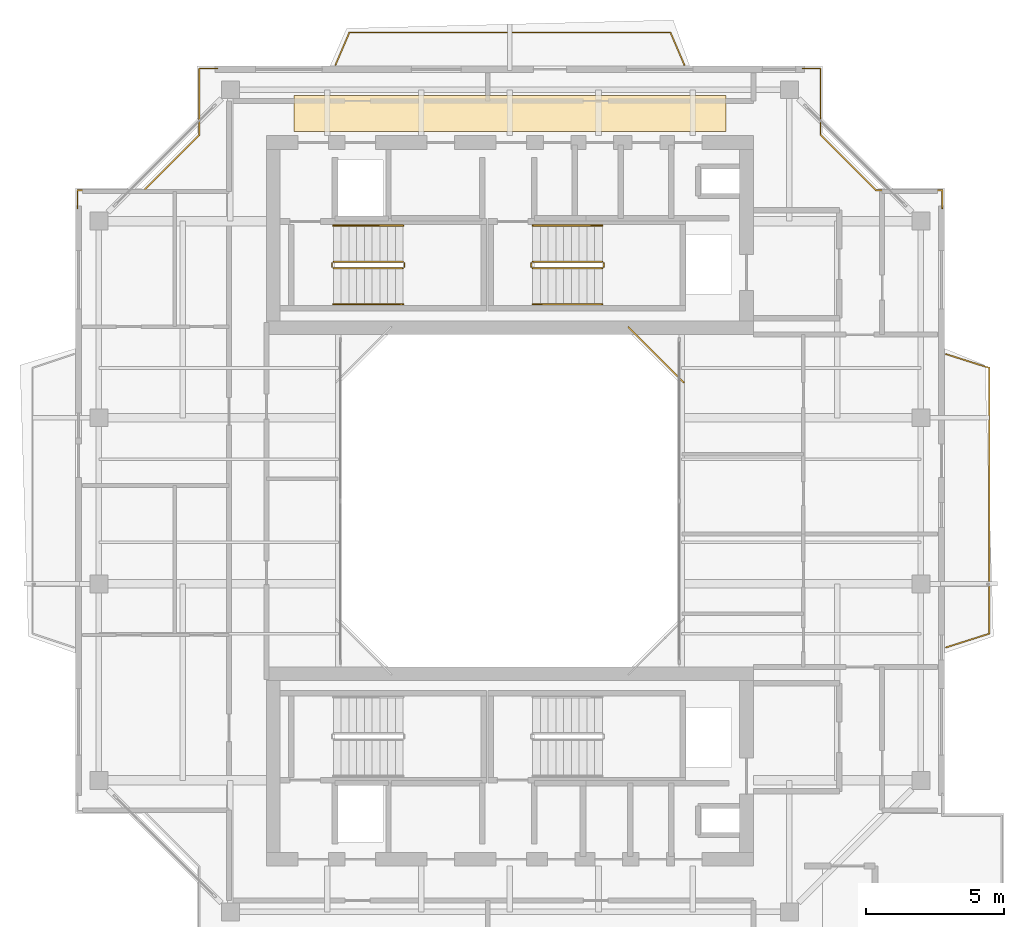
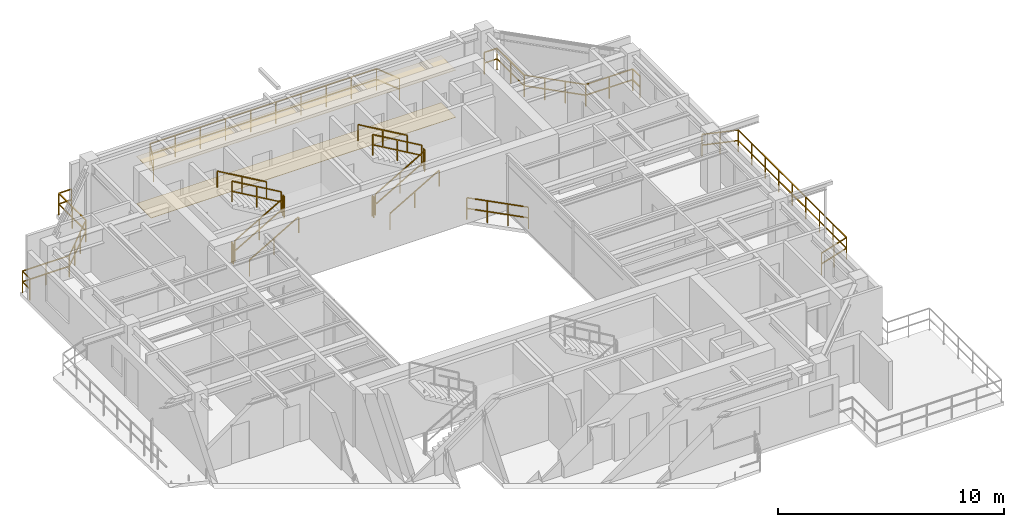
# One storey, part 14 of 14: 17 railings, 2 coverings.
"""IFC4 building model written with IfcOpenShell, lengths in metres."""

from ifc_helpers import new_model, si_unit, direction, frame, origin, origin_2d, place, context, subcontext, project, spatial, polyline, rectangle, outline, extrude, material, layer, layer_set, type_object, element, save


model = new_model("IFC4")

# Units and contexts
model_context = context("Model", 3, precision=1e-05, world=origin(), true_north=direction((0.0, 1.0)))
body_context = subcontext(model_context, "Body", "Model", "MODEL_VIEW")
ifc_project = project(units=[si_unit("LENGTHUNIT", "METRE"), si_unit("AREAUNIT", "SQUARE_METRE"), si_unit("VOLUMEUNIT", "CUBIC_METRE"), si_unit("PLANEANGLEUNIT", "RADIAN"), si_unit("MASSUNIT", "GRAM", prefix="KILO"), si_unit("THERMODYNAMICTEMPERATUREUNIT", "KELVIN"), si_unit("POWERUNIT", "WATT")], contexts=[model_context])

# Site, building, storey
site_placement = place(None, origin())
site = spatial("IfcSite", under=ifc_project, at=site_placement, CompositionType="ELEMENT")
building_placement = place(site_placement, origin())
building = spatial("IfcBuilding", under=site, at=building_placement, Name="Qiaomeng Ring Towers", CompositionType="ELEMENT")
storey_placement = place(building_placement, frame((0.0, 0.0, 253.5)))
storey = spatial("IfcBuildingStorey", under=building, at=storey_placement, Name="L74", CompositionType="ELEMENT", Elevation=253.5)

# Coverings
ifc_material_1 = material(Name="Mineral fibre acoustic ceiling tile", Category="gypsum")
ifc_layer_1 = layer(ifc_material_1, 0.02490234375, Name="Mineral fibre acoustic ceiling tile")
ifc_layer_set_1 = layer_set([ifc_layer_1], Name="Mineral fibre acoustic ceiling tile")
covering_type_1 = type_object("IfcCoveringType", Name="ARC-COV-CEIL1", PredefinedType="CEILING", material=ifc_layer_set_1)
covering_1_placement = place(storey_placement, frame((0.0, 0.0, 2.550048828125)))
element("IfcCovering", 1, at=covering_1_placement, inside=storey, type_object=covering_type_1, Name="L74 Corridor Acoustic Ceiling", PredefinedType="CEILING", context=body_context, shape_type="SweptSolid", body=[
    extrude(outline(polyline([(11.199951171875, 36.35009765625), (11.199951171875, 37.64990234375), (26.800048828125, 37.64990234375), (26.800048828125, 36.35009765625), (11.199951171875, 36.35009765625)])), origin(), (0.0, 0.0, 1.0), 0.02490234375),
])
ifc_material_2 = material(Name="Vitrified porcelain floor tile", Category="ceramic")
ifc_layer_2 = layer(ifc_material_2, 0.02001953125, Name="Vitrified porcelain floor tile")
ifc_layer_set_2 = layer_set([ifc_layer_2], Name="Vitrified porcelain floor tile")
covering_type_2 = type_object("IfcCoveringType", Name="ARC-COV-FLR1", PredefinedType="FLOORING", material=ifc_layer_set_2)
covering_2_placement = place(storey_placement, origin())
element("IfcCovering", 2, at=covering_2_placement, inside=storey, type_object=covering_type_2, Name="L74 Corridor Stone Flooring", PredefinedType="FLOORING", context=body_context, shape_type="SweptSolid", body=[
    extrude(outline(polyline([(11.199951171875, 36.35009765625), (11.199951171875, 37.64990234375), (26.800048828125, 37.64990234375), (26.800048828125, 36.35009765625), (11.199951171875, 36.35009765625)])), origin(), (0.0, 0.0, 1.0), 0.02001953125),
])

# Railings
ifc_material_3 = material(Name="Low-E pale-green laminated safety glass", Category="glass")
railing_type_1 = type_object("IfcRailingType", Name="ARC-RL-BAL1", PredefinedType="BALUSTRADE", material=ifc_material_3)
railing_1_placement = place(storey_placement, frame((25.280029296875, 27.280029296875, 0.0)))
element("IfcRailing", 3, at=railing_1_placement, inside=storey, type_object=railing_type_1, Name="L74 Balustrade ARC-BAL-WELL1-L74-2", PredefinedType="BALUSTRADE", context=body_context, shape_type="SweptSolid", body=[
    extrude(rectangle(XDim=0.048095703125, YDim=0.048095703125, at=origin_2d()), frame((0.0, 0.0, 1.17578125), z_axis=(-0.707106781187, 0.707106781187, 0.0), x_axis=(-0.707106781187, -0.707106781187, 0.0)), (0.0, 0.0, 1.0), 2.828369140625),
    extrude(rectangle(XDim=0.048095703125, YDim=0.048095703125, at=origin_2d()), frame((0.0, 0.0, 0.60009765625), z_axis=(-0.707106781187, 0.707106781187, 0.0), x_axis=(-0.707106781187, -0.707106781187, 0.0)), (0.0, 0.0, 1.0), 2.828369140625),
    extrude(rectangle(XDim=0.0419921875, YDim=0.0419921875, at=origin_2d()), origin(), (0.0, 0.0, 1.0), 1.15185546875),
    extrude(rectangle(XDim=0.0419921875, YDim=0.0419921875, at=origin_2d()), frame((-0.666748046875, 0.666748046875, 0.0)), (0.0, 0.0, 1.0), 1.15185546875),
    extrude(rectangle(XDim=0.0419921875, YDim=0.0419921875, at=origin_2d()), frame((-1.333251953125, 1.333251953125, 0.0)), (0.0, 0.0, 1.0), 1.15185546875),
    extrude(rectangle(XDim=0.0419921875, YDim=0.0419921875, at=origin_2d()), frame((-2.0, 2.0, 0.0)), (0.0, 0.0, 1.0), 1.15185546875),
])
railing_2_placement = place(storey_placement, frame((34.6201171875, 33.570068359375, 0.0)))
element("IfcRailing", 4, at=railing_2_placement, inside=storey, type_object=railing_type_1, Name="L74 Balustrade ARC-BAL-NOTCH1-L74-NE", PredefinedType="BALUSTRADE", context=body_context, shape_type="SweptSolid", body=[
    extrude(rectangle(XDim=0.048095703125, YDim=0.048095703125, at=origin_2d()), frame((0.0, 0.0, 1.17578125), z_axis=(0.0, 1.0, 0.0), x_axis=(-1.0, 0.0, 0.0)), (0.0, 0.0, 1.0), 0.64990234375),
    extrude(rectangle(XDim=0.048095703125, YDim=0.048095703125, at=origin_2d()), frame((0.0, 0.0, 0.60009765625), z_axis=(0.0, 1.0, 0.0), x_axis=(-1.0, 0.0, 0.0)), (0.0, 0.0, 1.0), 0.64990234375),
    extrude(rectangle(XDim=0.048095703125, YDim=0.048095703125, at=origin_2d()), frame((0.0, 0.64990234375, 1.17578125), z_axis=(-1.0, 0.0, 0.0), x_axis=(0.0, -1.0, 0.0)), (0.0, 0.0, 1.0), 2.400146484375),
    extrude(rectangle(XDim=0.048095703125, YDim=0.048095703125, at=origin_2d()), frame((0.0, 0.64990234375, 0.60009765625), z_axis=(-1.0, 0.0, 0.0), x_axis=(0.0, -1.0, 0.0)), (0.0, 0.0, 1.0), 2.400146484375),
    extrude(rectangle(XDim=0.048095703125, YDim=0.048095703125, at=origin_2d()), frame((-2.400146484375, 0.64990234375, 1.17578125), z_axis=(-0.707106781187, 0.707106781187, 0.0), x_axis=(-0.707106781187, -0.707106781187, 0.0)), (0.0, 0.0, 1.0), 2.828369140625),
    extrude(rectangle(XDim=0.048095703125, YDim=0.048095703125, at=origin_2d()), frame((-2.400146484375, 0.64990234375, 0.60009765625), z_axis=(-0.707106781187, 0.707106781187, 0.0), x_axis=(-0.707106781187, -0.707106781187, 0.0)), (0.0, 0.0, 1.0), 2.828369140625),
    extrude(rectangle(XDim=0.048095703125, YDim=0.048095703125, at=origin_2d()), frame((-4.400146484375, 2.64990234375, 1.17578125), z_axis=(0.0, 1.0, 0.0), x_axis=(-1.0, 0.0, 0.0)), (0.0, 0.0, 1.0), 2.400146484375),
    extrude(rectangle(XDim=0.048095703125, YDim=0.048095703125, at=origin_2d()), frame((-4.400146484375, 2.64990234375, 0.60009765625), z_axis=(0.0, 1.0, 0.0), x_axis=(-1.0, 0.0, 0.0)), (0.0, 0.0, 1.0), 2.400146484375),
    extrude(rectangle(XDim=0.048095703125, YDim=0.048095703125, at=origin_2d()), frame((-4.400146484375, 5.050048828125, 1.17578125), z_axis=(-1.0, 0.0, 0.0), x_axis=(0.0, -1.0, 0.0)), (0.0, 0.0, 1.0), 0.64990234375),
    extrude(rectangle(XDim=0.048095703125, YDim=0.048095703125, at=origin_2d()), frame((-4.400146484375, 5.050048828125, 0.60009765625), z_axis=(-1.0, 0.0, 0.0), x_axis=(0.0, -1.0, 0.0)), (0.0, 0.0, 1.0), 0.64990234375),
    extrude(rectangle(XDim=0.0419921875, YDim=0.0419921875, at=origin_2d()), origin(), (0.0, 0.0, 1.0), 1.15185546875),
    extrude(rectangle(XDim=0.0419921875, YDim=0.0419921875, at=origin_2d()), frame((0.0, 0.64990234375, 0.0)), (0.0, 0.0, 1.0), 1.15185546875),
    extrude(rectangle(XDim=0.0419921875, YDim=0.0419921875, at=origin_2d()), frame((-1.2001953125, 0.64990234375, 0.0)), (0.0, 0.0, 1.0), 1.15185546875),
    extrude(rectangle(XDim=0.0419921875, YDim=0.0419921875, at=origin_2d()), frame((-2.400146484375, 0.64990234375, 0.0)), (0.0, 0.0, 1.0), 1.15185546875),
    extrude(rectangle(XDim=0.0419921875, YDim=0.0419921875, at=origin_2d()), frame((-3.06689453125, 1.316650390625, 0.0)), (0.0, 0.0, 1.0), 1.15185546875),
    extrude(rectangle(XDim=0.0419921875, YDim=0.0419921875, at=origin_2d()), frame((-3.7333984375, 1.983154296875, 0.0)), (0.0, 0.0, 1.0), 1.15185546875),
    extrude(rectangle(XDim=0.0419921875, YDim=0.0419921875, at=origin_2d()), frame((-4.400146484375, 2.64990234375, 0.0)), (0.0, 0.0, 1.0), 1.15185546875),
    extrude(rectangle(XDim=0.0419921875, YDim=0.0419921875, at=origin_2d()), frame((-4.400146484375, 3.85009765625, 0.0)), (0.0, 0.0, 1.0), 1.15185546875),
    extrude(rectangle(XDim=0.0419921875, YDim=0.0419921875, at=origin_2d()), frame((-4.400146484375, 5.050048828125, 0.0)), (0.0, 0.0, 1.0), 1.15185546875),
    extrude(rectangle(XDim=0.0419921875, YDim=0.0419921875, at=origin_2d()), frame((-5.050048828125, 5.050048828125, 0.0)), (0.0, 0.0, 1.0), 1.15185546875),
])
railing_3_placement = place(storey_placement, frame((8.429931640625, 38.6201171875, 0.0)))
element("IfcRailing", 5, at=railing_3_placement, inside=storey, type_object=railing_type_1, Name="L74 Balustrade ARC-BAL-NOTCH1-L74-NW", PredefinedType="BALUSTRADE", context=body_context, shape_type="SweptSolid", body=[
    extrude(rectangle(XDim=0.048095703125, YDim=0.048095703125, at=origin_2d()), frame((0.0, 0.0, 1.17578125), z_axis=(-1.0, 0.0, 0.0), x_axis=(0.0, -1.0, 0.0)), (0.0, 0.0, 1.0), 0.64990234375),
    extrude(rectangle(XDim=0.048095703125, YDim=0.048095703125, at=origin_2d()), frame((0.0, 0.0, 0.60009765625), z_axis=(-1.0, 0.0, 0.0), x_axis=(0.0, -1.0, 0.0)), (0.0, 0.0, 1.0), 0.64990234375),
    extrude(rectangle(XDim=0.048095703125, YDim=0.048095703125, at=origin_2d()), frame((-0.64990234375, 0.0, 1.17578125), z_axis=(0.0, -1.0, 0.0), x_axis=(1.0, 0.0, 0.0)), (0.0, 0.0, 1.0), 2.400146484375),
    extrude(rectangle(XDim=0.048095703125, YDim=0.048095703125, at=origin_2d()), frame((-0.64990234375, 0.0, 0.60009765625), z_axis=(0.0, -1.0, 0.0), x_axis=(1.0, 0.0, 0.0)), (0.0, 0.0, 1.0), 2.400146484375),
    extrude(rectangle(XDim=0.048095703125, YDim=0.048095703125, at=origin_2d()), frame((-0.64990234375, -2.400146484375, 1.17578125), z_axis=(-0.707106781187, -0.707106781187, 0.0), x_axis=(0.707106781187, -0.707106781187, 0.0)), (0.0, 0.0, 1.0), 2.828369140625),
    extrude(rectangle(XDim=0.048095703125, YDim=0.048095703125, at=origin_2d()), frame((-0.64990234375, -2.400146484375, 0.60009765625), z_axis=(-0.707106781187, -0.707106781187, 0.0), x_axis=(0.707106781187, -0.707106781187, 0.0)), (0.0, 0.0, 1.0), 2.828369140625),
    extrude(rectangle(XDim=0.048095703125, YDim=0.048095703125, at=origin_2d()), frame((-2.64990234375, -4.400146484375, 1.17578125), z_axis=(-1.0, 0.0, 0.0), x_axis=(0.0, -1.0, 0.0)), (0.0, 0.0, 1.0), 2.400146484375),
    extrude(rectangle(XDim=0.048095703125, YDim=0.048095703125, at=origin_2d()), frame((-2.64990234375, -4.400146484375, 0.60009765625), z_axis=(-1.0, 0.0, 0.0), x_axis=(0.0, -1.0, 0.0)), (0.0, 0.0, 1.0), 2.400146484375),
    extrude(rectangle(XDim=0.048095703125, YDim=0.048095703125, at=origin_2d()), frame((-5.050048828125, -4.400146484375, 1.17578125), z_axis=(0.0, -1.0, 0.0), x_axis=(1.0, 0.0, 0.0)), (0.0, 0.0, 1.0), 0.64990234375),
    extrude(rectangle(XDim=0.048095703125, YDim=0.048095703125, at=origin_2d()), frame((-5.050048828125, -4.400146484375, 0.60009765625), z_axis=(0.0, -1.0, 0.0), x_axis=(1.0, 0.0, 0.0)), (0.0, 0.0, 1.0), 0.64990234375),
    extrude(rectangle(XDim=0.0419921875, YDim=0.0419921875, at=origin_2d()), origin(), (0.0, 0.0, 1.0), 1.15185546875),
    extrude(rectangle(XDim=0.0419921875, YDim=0.0419921875, at=origin_2d()), frame((-0.64990234375, 0.0, 0.0)), (0.0, 0.0, 1.0), 1.15185546875),
    extrude(rectangle(XDim=0.0419921875, YDim=0.0419921875, at=origin_2d()), frame((-0.64990234375, -1.2001953125, 0.0)), (0.0, 0.0, 1.0), 1.15185546875),
    extrude(rectangle(XDim=0.0419921875, YDim=0.0419921875, at=origin_2d()), frame((-0.64990234375, -2.400146484375, 0.0)), (0.0, 0.0, 1.0), 1.15185546875),
    extrude(rectangle(XDim=0.0419921875, YDim=0.0419921875, at=origin_2d()), frame((-1.316650390625, -3.06689453125, 0.0)), (0.0, 0.0, 1.0), 1.15185546875),
    extrude(rectangle(XDim=0.0419921875, YDim=0.0419921875, at=origin_2d()), frame((-1.983154296875, -3.7333984375, 0.0)), (0.0, 0.0, 1.0), 1.15185546875),
    extrude(rectangle(XDim=0.0419921875, YDim=0.0419921875, at=origin_2d()), frame((-2.64990234375, -4.400146484375, 0.0)), (0.0, 0.0, 1.0), 1.15185546875),
    extrude(rectangle(XDim=0.0419921875, YDim=0.0419921875, at=origin_2d()), frame((-3.85009765625, -4.400146484375, 0.0)), (0.0, 0.0, 1.0), 1.15185546875),
    extrude(rectangle(XDim=0.0419921875, YDim=0.0419921875, at=origin_2d()), frame((-5.050048828125, -4.400146484375, 0.0)), (0.0, 0.0, 1.0), 1.15185546875),
    extrude(rectangle(XDim=0.0419921875, YDim=0.0419921875, at=origin_2d()), frame((-5.050048828125, -5.050048828125, 0.0)), (0.0, 0.0, 1.0), 1.15185546875),
])
railing_4_placement = place(storey_placement, frame((34.75, 17.699951171875, 0.0)))
element("IfcRailing", 6, at=railing_4_placement, inside=storey, type_object=railing_type_1, Name="L74 Balustrade ARC-BAL-L74-T1-E", PredefinedType="BALUSTRADE", context=body_context, shape_type="SweptSolid", body=[
    extrude(rectangle(XDim=0.048095703125, YDim=0.048095703125, at=origin_2d()), frame((0.0, 0.0, 1.17578125), z_axis=(0.952849860715, 0.303442157479, 0.0), x_axis=(-0.303442157479, 0.952849860715, 0.0)), (0.0, 0.0, 1.0), 1.647705078125),
    extrude(rectangle(XDim=0.048095703125, YDim=0.048095703125, at=origin_2d()), frame((0.0, 0.0, 0.60009765625), z_axis=(0.952849860715, 0.303442157479, 0.0), x_axis=(-0.303442157479, 0.952849860715, 0.0)), (0.0, 0.0, 1.0), 1.647705078125),
    extrude(rectangle(XDim=0.048095703125, YDim=0.048095703125, at=origin_2d()), frame((1.570068359375, 0.5, 1.17578125), z_axis=(0.0, 1.0, 0.0), x_axis=(-1.0, 0.0, 0.0)), (0.0, 0.0, 1.0), 9.60009765625),
    extrude(rectangle(XDim=0.048095703125, YDim=0.048095703125, at=origin_2d()), frame((1.570068359375, 0.5, 0.60009765625), z_axis=(0.0, 1.0, 0.0), x_axis=(-1.0, 0.0, 0.0)), (0.0, 0.0, 1.0), 9.60009765625),
    extrude(rectangle(XDim=0.048095703125, YDim=0.048095703125, at=origin_2d()), frame((1.570068359375, 10.10009765625, 1.17578125), z_axis=(-0.952849860715, 0.303442157479, 0.0), x_axis=(-0.303442157479, -0.952849860715, 0.0)), (0.0, 0.0, 1.0), 1.647705078125),
    extrude(rectangle(XDim=0.048095703125, YDim=0.048095703125, at=origin_2d()), frame((1.570068359375, 10.10009765625, 0.60009765625), z_axis=(-0.952849860715, 0.303442157479, 0.0), x_axis=(-0.303442157479, -0.952849860715, 0.0)), (0.0, 0.0, 1.0), 1.647705078125),
    extrude(rectangle(XDim=0.0419921875, YDim=0.0419921875, at=origin_2d()), origin(), (0.0, 0.0, 1.0), 1.15185546875),
    extrude(rectangle(XDim=0.0419921875, YDim=0.0419921875, at=origin_2d()), frame((0.78515625, 0.25, 0.0)), (0.0, 0.0, 1.0), 1.15185546875),
    extrude(rectangle(XDim=0.0419921875, YDim=0.0419921875, at=origin_2d()), frame((1.570068359375, 0.5, 0.0)), (0.0, 0.0, 1.0), 1.15185546875),
    extrude(rectangle(XDim=0.0419921875, YDim=0.0419921875, at=origin_2d()), frame((1.570068359375, 1.699951171875, 0.0)), (0.0, 0.0, 1.0), 1.15185546875),
    extrude(rectangle(XDim=0.0419921875, YDim=0.0419921875, at=origin_2d()), frame((1.570068359375, 2.89990234375, 0.0)), (0.0, 0.0, 1.0), 1.15185546875),
    extrude(rectangle(XDim=0.0419921875, YDim=0.0419921875, at=origin_2d()), frame((1.570068359375, 4.10009765625, 0.0)), (0.0, 0.0, 1.0), 1.15185546875),
    extrude(rectangle(XDim=0.0419921875, YDim=0.0419921875, at=origin_2d()), frame((1.570068359375, 5.300048828125, 0.0)), (0.0, 0.0, 1.0), 1.15185546875),
    extrude(rectangle(XDim=0.0419921875, YDim=0.0419921875, at=origin_2d()), frame((1.570068359375, 6.5, 0.0)), (0.0, 0.0, 1.0), 1.15185546875),
    extrude(rectangle(XDim=0.0419921875, YDim=0.0419921875, at=origin_2d()), frame((1.570068359375, 7.7001953125, 0.0)), (0.0, 0.0, 1.0), 1.15185546875),
    extrude(rectangle(XDim=0.0419921875, YDim=0.0419921875, at=origin_2d()), frame((1.570068359375, 8.900146484375, 0.0)), (0.0, 0.0, 1.0), 1.15185546875),
    extrude(rectangle(XDim=0.0419921875, YDim=0.0419921875, at=origin_2d()), frame((1.570068359375, 10.10009765625, 0.0)), (0.0, 0.0, 1.0), 1.15185546875),
    extrude(rectangle(XDim=0.0419921875, YDim=0.0419921875, at=origin_2d()), frame((0.78515625, 10.35009765625, 0.0)), (0.0, 0.0, 1.0), 1.15185546875),
    extrude(rectangle(XDim=0.0419921875, YDim=0.0419921875, at=origin_2d()), frame((0.0, 10.60009765625, 0.0)), (0.0, 0.0, 1.0), 1.15185546875),
])
railing_5_placement = place(storey_placement, frame((12.699951171875, 38.75, 0.0)))
element("IfcRailing", 7, at=railing_5_placement, inside=storey, type_object=railing_type_1, Name="L74 Balustrade ARC-BAL-L74-T1-N", PredefinedType="BALUSTRADE", context=body_context, shape_type="SweptSolid", body=[
    extrude(rectangle(XDim=0.048095703125, YDim=0.048095703125, at=origin_2d()), frame((0.0, 0.0, 1.17578125), z_axis=(0.39299272826, 0.919541579014, 0.0), x_axis=(-0.919541579014, 0.39299272826, 0.0)), (0.0, 0.0, 1.0), 1.272216796875),
    extrude(rectangle(XDim=0.048095703125, YDim=0.048095703125, at=origin_2d()), frame((0.0, 0.0, 0.60009765625), z_axis=(0.39299272826, 0.919541579014, 0.0), x_axis=(-0.919541579014, 0.39299272826, 0.0)), (0.0, 0.0, 1.0), 1.272216796875),
    extrude(rectangle(XDim=0.048095703125, YDim=0.048095703125, at=origin_2d()), frame((0.5, 1.169921875, 1.17578125), z_axis=(1.0, 0.0, 0.0), x_axis=(0.0, 1.0, 0.0)), (0.0, 0.0, 1.0), 11.60009765625),
    extrude(rectangle(XDim=0.048095703125, YDim=0.048095703125, at=origin_2d()), frame((0.5, 1.169921875, 0.60009765625), z_axis=(1.0, 0.0, 0.0), x_axis=(0.0, 1.0, 0.0)), (0.0, 0.0, 1.0), 11.60009765625),
    extrude(rectangle(XDim=0.048095703125, YDim=0.048095703125, at=origin_2d()), frame((12.10009765625, 1.169921875, 1.17578125), z_axis=(0.39299272826, -0.919541579014, 0.0), x_axis=(0.919541579014, 0.39299272826, 0.0)), (0.0, 0.0, 1.0), 1.272216796875),
    extrude(rectangle(XDim=0.048095703125, YDim=0.048095703125, at=origin_2d()), frame((12.10009765625, 1.169921875, 0.60009765625), z_axis=(0.39299272826, -0.919541579014, 0.0), x_axis=(0.919541579014, 0.39299272826, 0.0)), (0.0, 0.0, 1.0), 1.272216796875),
    extrude(rectangle(XDim=0.0419921875, YDim=0.0419921875, at=origin_2d()), origin(), (0.0, 0.0, 1.0), 1.15185546875),
    extrude(rectangle(XDim=0.0419921875, YDim=0.0419921875, at=origin_2d()), frame((0.5, 1.169921875, 0.0)), (0.0, 0.0, 1.0), 1.15185546875),
    extrude(rectangle(XDim=0.0419921875, YDim=0.0419921875, at=origin_2d()), frame((1.788818359375, 1.169921875, 0.0)), (0.0, 0.0, 1.0), 1.15185546875),
    extrude(rectangle(XDim=0.0419921875, YDim=0.0419921875, at=origin_2d()), frame((3.077880859375, 1.169921875, 0.0)), (0.0, 0.0, 1.0), 1.15185546875),
    extrude(rectangle(XDim=0.0419921875, YDim=0.0419921875, at=origin_2d()), frame((4.36669921875, 1.169921875, 0.0)), (0.0, 0.0, 1.0), 1.15185546875),
    extrude(rectangle(XDim=0.0419921875, YDim=0.0419921875, at=origin_2d()), frame((5.655517578125, 1.169921875, 0.0)), (0.0, 0.0, 1.0), 1.15185546875),
    extrude(rectangle(XDim=0.0419921875, YDim=0.0419921875, at=origin_2d()), frame((6.944580078125, 1.169921875, 0.0)), (0.0, 0.0, 1.0), 1.15185546875),
    extrude(rectangle(XDim=0.0419921875, YDim=0.0419921875, at=origin_2d()), frame((8.2333984375, 1.169921875, 0.0)), (0.0, 0.0, 1.0), 1.15185546875),
    extrude(rectangle(XDim=0.0419921875, YDim=0.0419921875, at=origin_2d()), frame((9.522216796875, 1.169921875, 0.0)), (0.0, 0.0, 1.0), 1.15185546875),
    extrude(rectangle(XDim=0.0419921875, YDim=0.0419921875, at=origin_2d()), frame((10.811279296875, 1.169921875, 0.0)), (0.0, 0.0, 1.0), 1.15185546875),
    extrude(rectangle(XDim=0.0419921875, YDim=0.0419921875, at=origin_2d()), frame((12.10009765625, 1.169921875, 0.0)), (0.0, 0.0, 1.0), 1.15185546875),
    extrude(rectangle(XDim=0.0419921875, YDim=0.0419921875, at=origin_2d()), frame((12.60009765625, 0.0, 0.0)), (0.0, 0.0, 1.0), 1.15185546875),
])
ifc_material_4 = material(Name="Galvanised steel", Category="steel")
railing_type_2 = type_object("IfcRailingType", Name="ARC-RL-GUARD", PredefinedType="GUARDRAIL", material=ifc_material_4)
railing_6_placement = place(storey_placement, frame((12.6201171875, 31.39990234375, 0.16259765625)))
element("IfcRailing", 8, at=railing_6_placement, inside=storey, type_object=railing_type_2, Name="L74 ST1 stair guard 1", PredefinedType="GUARDRAIL", context=body_context, shape_type="SweptSolid", body=[
    extrude(rectangle(XDim=0.048095703125, YDim=0.048095703125, at=origin_2d()), frame((0.0, 0.0, 1.1259765625), z_axis=(0.864892226395, 0.0, 0.501957604506), x_axis=(0.0, 1.0, 0.0)), (0.0, 0.0, 1.0), 2.913330078125),
    extrude(rectangle(XDim=0.048095703125, YDim=0.048095703125, at=origin_2d()), frame((0.0, 0.0, 0.574951171875), z_axis=(0.864892226395, 0.0, 0.501957604506), x_axis=(0.0, 1.0, 0.0)), (0.0, 0.0, 1.0), 2.913330078125),
    extrude(rectangle(XDim=0.0419921875, YDim=0.0419921875, at=origin_2d()), origin(), (0.0, 0.0, 1.0), 1.101806640625),
    extrude(rectangle(XDim=0.0419921875, YDim=0.0419921875, at=origin_2d()), frame((1.259765625, 0.0, 0.731201171875)), (0.0, 0.0, 1.0), 1.101806640625),
    extrude(rectangle(XDim=0.0419921875, YDim=0.0419921875, at=origin_2d()), frame((2.519775390625, 0.0, 1.46240234375)), (0.0, 0.0, 1.0), 1.101806640625),
])
railing_7_placement = place(storey_placement, frame((15.18994140625, 31.449951171875, 1.625)))
element("IfcRailing", 9, at=railing_7_placement, inside=storey, type_object=railing_type_2, Name="L74 ST1 stair guard 2", PredefinedType="GUARDRAIL", context=body_context, shape_type="SweptSolid", body=[
    extrude(rectangle(XDim=0.048095703125, YDim=0.048095703125, at=origin_2d()), frame((0.0, 0.0, 1.1259765625), z_axis=(0.0, 1.0, 0.0), x_axis=(-1.0, 0.0, 0.0)), (0.0, 0.0, 1.0), 0.14013671875),
    extrude(rectangle(XDim=0.048095703125, YDim=0.048095703125, at=origin_2d()), frame((0.0, 0.0, 0.574951171875), z_axis=(0.0, 1.0, 0.0), x_axis=(-1.0, 0.0, 0.0)), (0.0, 0.0, 1.0), 0.14013671875),
    extrude(rectangle(XDim=0.0419921875, YDim=0.0419921875, at=origin_2d()), origin(), (0.0, 0.0, 1.0), 1.101806640625),
    extrude(rectangle(XDim=0.0419921875, YDim=0.0419921875, at=origin_2d()), frame((0.0, 0.14013671875, 0.0)), (0.0, 0.0, 1.0), 1.101806640625),
])
railing_8_placement = place(storey_placement, frame((15.139892578125, 31.639892578125, 1.78759765625)))
element("IfcRailing", 10, at=railing_8_placement, inside=storey, type_object=railing_type_2, Name="L74 ST1 stair guard 3", PredefinedType="GUARDRAIL", context=body_context, shape_type="SweptSolid", body=[
    extrude(rectangle(XDim=0.048095703125, YDim=0.048095703125, at=origin_2d()), frame((0.0, 0.0, 1.1259765625), z_axis=(-0.864892226395, 0.0, 0.501957604506), x_axis=(0.0, -1.0, 0.0)), (0.0, 0.0, 1.0), 2.913330078125),
    extrude(rectangle(XDim=0.048095703125, YDim=0.048095703125, at=origin_2d()), frame((0.0, 0.0, 0.574951171875), z_axis=(-0.864892226395, 0.0, 0.501957604506), x_axis=(0.0, -1.0, 0.0)), (0.0, 0.0, 1.0), 2.913330078125),
    extrude(rectangle(XDim=0.0419921875, YDim=0.0419921875, at=origin_2d()), origin(), (0.0, 0.0, 1.0), 1.101806640625),
    extrude(rectangle(XDim=0.0419921875, YDim=0.0419921875, at=origin_2d()), frame((-1.259765625, 0.0, 0.731201171875)), (0.0, 0.0, 1.0), 1.101806640625),
    extrude(rectangle(XDim=0.0419921875, YDim=0.0419921875, at=origin_2d()), frame((-2.519775390625, 0.0, 1.46240234375)), (0.0, 0.0, 1.0), 1.101806640625),
])
railing_9_placement = place(storey_placement, frame((12.570068359375, 31.449951171875, 0.0)))
element("IfcRailing", 11, at=railing_9_placement, inside=storey, type_object=railing_type_2, Name="L74 ST1 stair guard 4", PredefinedType="GUARDRAIL", context=body_context, shape_type="SweptSolid", body=[
    extrude(rectangle(XDim=0.048095703125, YDim=0.048095703125, at=origin_2d()), frame((0.0, 0.0, 1.1259765625), z_axis=(0.0, 1.0, 0.0), x_axis=(-1.0, 0.0, 0.0)), (0.0, 0.0, 1.0), 0.14013671875),
    extrude(rectangle(XDim=0.048095703125, YDim=0.048095703125, at=origin_2d()), frame((0.0, 0.0, 0.574951171875), z_axis=(0.0, 1.0, 0.0), x_axis=(-1.0, 0.0, 0.0)), (0.0, 0.0, 1.0), 0.14013671875),
    extrude(rectangle(XDim=0.0419921875, YDim=0.0419921875, at=origin_2d()), origin(), (0.0, 0.0, 1.0), 1.101806640625),
    extrude(rectangle(XDim=0.0419921875, YDim=0.0419921875, at=origin_2d()), frame((0.0, 0.14013671875, 0.0)), (0.0, 0.0, 1.0), 1.101806640625),
])
railing_10_placement = place(storey_placement, frame((19.820068359375, 31.39990234375, 0.16259765625)))
element("IfcRailing", 12, at=railing_10_placement, inside=storey, type_object=railing_type_2, Name="L74 ST2 stair guard 1", PredefinedType="GUARDRAIL", context=body_context, shape_type="SweptSolid", body=[
    extrude(rectangle(XDim=0.048095703125, YDim=0.048095703125, at=origin_2d()), frame((0.0, 0.0, 1.1259765625), z_axis=(0.864913338283, 0.0, 0.50192122615), x_axis=(0.0, 1.0, 0.0)), (0.0, 0.0, 1.0), 2.91357421875),
    extrude(rectangle(XDim=0.048095703125, YDim=0.048095703125, at=origin_2d()), frame((0.0, 0.0, 0.574951171875), z_axis=(0.864913338283, 0.0, 0.50192122615), x_axis=(0.0, 1.0, 0.0)), (0.0, 0.0, 1.0), 2.91357421875),
    extrude(rectangle(XDim=0.0419921875, YDim=0.0419921875, at=origin_2d()), origin(), (0.0, 0.0, 1.0), 1.101806640625),
    extrude(rectangle(XDim=0.0419921875, YDim=0.0419921875, at=origin_2d()), frame((1.260009765625, 0.0, 0.731201171875)), (0.0, 0.0, 1.0), 1.101806640625),
    extrude(rectangle(XDim=0.0419921875, YDim=0.0419921875, at=origin_2d()), frame((2.52001953125, 0.0, 1.46240234375)), (0.0, 0.0, 1.0), 1.101806640625),
])
railing_11_placement = place(storey_placement, frame((22.389892578125, 31.449951171875, 1.625)))
element("IfcRailing", 13, at=railing_11_placement, inside=storey, type_object=railing_type_2, Name="L74 ST2 stair guard 2", PredefinedType="GUARDRAIL", context=body_context, shape_type="SweptSolid", body=[
    extrude(rectangle(XDim=0.048095703125, YDim=0.048095703125, at=origin_2d()), frame((0.0, 0.0, 1.1259765625), z_axis=(0.0, 1.0, 0.0), x_axis=(-1.0, 0.0, 0.0)), (0.0, 0.0, 1.0), 0.14013671875),
    extrude(rectangle(XDim=0.048095703125, YDim=0.048095703125, at=origin_2d()), frame((0.0, 0.0, 0.574951171875), z_axis=(0.0, 1.0, 0.0), x_axis=(-1.0, 0.0, 0.0)), (0.0, 0.0, 1.0), 0.14013671875),
    extrude(rectangle(XDim=0.0419921875, YDim=0.0419921875, at=origin_2d()), origin(), (0.0, 0.0, 1.0), 1.101806640625),
    extrude(rectangle(XDim=0.0419921875, YDim=0.0419921875, at=origin_2d()), frame((0.0, 0.14013671875, 0.0)), (0.0, 0.0, 1.0), 1.101806640625),
])
railing_12_placement = place(storey_placement, frame((22.340087890625, 31.639892578125, 1.78759765625)))
element("IfcRailing", 14, at=railing_12_placement, inside=storey, type_object=railing_type_2, Name="L74 ST2 stair guard 3", PredefinedType="GUARDRAIL", context=body_context, shape_type="SweptSolid", body=[
    extrude(rectangle(XDim=0.048095703125, YDim=0.048095703125, at=origin_2d()), frame((0.0, 0.0, 1.1259765625), z_axis=(-0.864913338283, 0.0, 0.50192122615), x_axis=(0.0, -1.0, 0.0)), (0.0, 0.0, 1.0), 2.91357421875),
    extrude(rectangle(XDim=0.048095703125, YDim=0.048095703125, at=origin_2d()), frame((0.0, 0.0, 0.574951171875), z_axis=(-0.864913338283, 0.0, 0.50192122615), x_axis=(0.0, -1.0, 0.0)), (0.0, 0.0, 1.0), 2.91357421875),
    extrude(rectangle(XDim=0.0419921875, YDim=0.0419921875, at=origin_2d()), origin(), (0.0, 0.0, 1.0), 1.101806640625),
    extrude(rectangle(XDim=0.0419921875, YDim=0.0419921875, at=origin_2d()), frame((-1.260009765625, 0.0, 0.731201171875)), (0.0, 0.0, 1.0), 1.101806640625),
    extrude(rectangle(XDim=0.0419921875, YDim=0.0419921875, at=origin_2d()), frame((-2.52001953125, 0.0, 1.46240234375)), (0.0, 0.0, 1.0), 1.101806640625),
])
railing_13_placement = place(storey_placement, frame((19.77001953125, 31.449951171875, 0.0)))
element("IfcRailing", 15, at=railing_13_placement, inside=storey, type_object=railing_type_2, Name="L74 ST2 stair guard 4", PredefinedType="GUARDRAIL", context=body_context, shape_type="SweptSolid", body=[
    extrude(rectangle(XDim=0.048095703125, YDim=0.048095703125, at=origin_2d()), frame((0.0, 0.0, 1.1259765625), z_axis=(0.0, 1.0, 0.0), x_axis=(-1.0, 0.0, 0.0)), (0.0, 0.0, 1.0), 0.14013671875),
    extrude(rectangle(XDim=0.048095703125, YDim=0.048095703125, at=origin_2d()), frame((0.0, 0.0, 0.574951171875), z_axis=(0.0, 1.0, 0.0), x_axis=(-1.0, 0.0, 0.0)), (0.0, 0.0, 1.0), 0.14013671875),
    extrude(rectangle(XDim=0.0419921875, YDim=0.0419921875, at=origin_2d()), origin(), (0.0, 0.0, 1.0), 1.101806640625),
    extrude(rectangle(XDim=0.0419921875, YDim=0.0419921875, at=origin_2d()), frame((0.0, 0.14013671875, 0.0)), (0.0, 0.0, 1.0), 1.101806640625),
])
ifc_material_5 = material(Name="Stainless steel 316", Category="steel")
railing_type_3 = type_object("IfcRailingType", Name="ARC-RL-HAND", PredefinedType="HANDRAIL", material=ifc_material_5)
railing_14_placement = place(storey_placement, frame((12.6201171875, 30.10009765625, 0.16259765625)))
element("IfcRailing", 16, at=railing_14_placement, inside=storey, type_object=railing_type_3, Name="L74 ST1 stair handrail 1", PredefinedType="HANDRAIL", context=body_context, shape_type="SweptSolid", body=[
    extrude(rectangle(XDim=0.048095703125, YDim=0.048095703125, at=origin_2d()), frame((0.0, 0.0, 0.8759765625), z_axis=(0.864892226395, 0.0, 0.501957604506), x_axis=(0.0, 1.0, 0.0)), (0.0, 0.0, 1.0), 2.913330078125),
    extrude(rectangle(XDim=0.0419921875, YDim=0.0419921875, at=origin_2d()), origin(), (0.0, 0.0, 1.0), 0.851806640625),
    extrude(rectangle(XDim=0.0419921875, YDim=0.0419921875, at=origin_2d()), frame((1.259765625, 0.0, 0.731201171875)), (0.0, 0.0, 1.0), 0.851806640625),
    extrude(rectangle(XDim=0.0419921875, YDim=0.0419921875, at=origin_2d()), frame((2.519775390625, 0.0, 1.46240234375)), (0.0, 0.0, 1.0), 0.851806640625),
])
railing_15_placement = place(storey_placement, frame((15.139892578125, 32.93994140625, 1.78759765625)))
element("IfcRailing", 17, at=railing_15_placement, inside=storey, type_object=railing_type_3, Name="L74 ST1 stair handrail 2", PredefinedType="HANDRAIL", context=body_context, shape_type="SweptSolid", body=[
    extrude(rectangle(XDim=0.048095703125, YDim=0.048095703125, at=origin_2d()), frame((0.0, 0.0, 0.8759765625), z_axis=(-0.864892226395, 0.0, 0.501957604506), x_axis=(0.0, -1.0, 0.0)), (0.0, 0.0, 1.0), 2.913330078125),
    extrude(rectangle(XDim=0.0419921875, YDim=0.0419921875, at=origin_2d()), origin(), (0.0, 0.0, 1.0), 0.851806640625),
    extrude(rectangle(XDim=0.0419921875, YDim=0.0419921875, at=origin_2d()), frame((-1.259765625, 0.0, 0.731201171875)), (0.0, 0.0, 1.0), 0.851806640625),
    extrude(rectangle(XDim=0.0419921875, YDim=0.0419921875, at=origin_2d()), frame((-2.519775390625, 0.0, 1.46240234375)), (0.0, 0.0, 1.0), 0.851806640625),
])
railing_16_placement = place(storey_placement, frame((19.820068359375, 30.10009765625, 0.16259765625)))
element("IfcRailing", 18, at=railing_16_placement, inside=storey, type_object=railing_type_3, Name="L74 ST2 stair handrail 1", PredefinedType="HANDRAIL", context=body_context, shape_type="SweptSolid", body=[
    extrude(rectangle(XDim=0.048095703125, YDim=0.048095703125, at=origin_2d()), frame((0.0, 0.0, 0.8759765625), z_axis=(0.864913338283, 0.0, 0.50192122615), x_axis=(0.0, 1.0, 0.0)), (0.0, 0.0, 1.0), 2.91357421875),
    extrude(rectangle(XDim=0.0419921875, YDim=0.0419921875, at=origin_2d()), origin(), (0.0, 0.0, 1.0), 0.851806640625),
    extrude(rectangle(XDim=0.0419921875, YDim=0.0419921875, at=origin_2d()), frame((1.260009765625, 0.0, 0.731201171875)), (0.0, 0.0, 1.0), 0.851806640625),
    extrude(rectangle(XDim=0.0419921875, YDim=0.0419921875, at=origin_2d()), frame((2.52001953125, 0.0, 1.46240234375)), (0.0, 0.0, 1.0), 0.851806640625),
])
railing_17_placement = place(storey_placement, frame((22.340087890625, 32.93994140625, 1.78759765625)))
element("IfcRailing", 19, at=railing_17_placement, inside=storey, type_object=railing_type_3, Name="L74 ST2 stair handrail 2", PredefinedType="HANDRAIL", context=body_context, shape_type="SweptSolid", body=[
    extrude(rectangle(XDim=0.048095703125, YDim=0.048095703125, at=origin_2d()), frame((0.0, 0.0, 0.8759765625), z_axis=(-0.864913338283, 0.0, 0.50192122615), x_axis=(0.0, -1.0, 0.0)), (0.0, 0.0, 1.0), 2.91357421875),
    extrude(rectangle(XDim=0.0419921875, YDim=0.0419921875, at=origin_2d()), origin(), (0.0, 0.0, 1.0), 0.851806640625),
    extrude(rectangle(XDim=0.0419921875, YDim=0.0419921875, at=origin_2d()), frame((-1.260009765625, 0.0, 0.731201171875)), (0.0, 0.0, 1.0), 0.851806640625),
    extrude(rectangle(XDim=0.0419921875, YDim=0.0419921875, at=origin_2d()), frame((-2.52001953125, 0.0, 1.46240234375)), (0.0, 0.0, 1.0), 0.851806640625),
])

save(model, "model.ifc")
